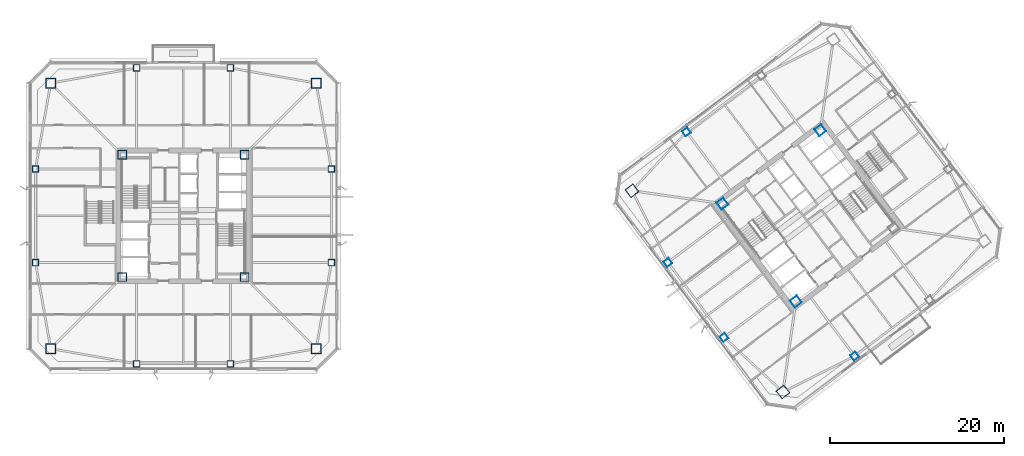
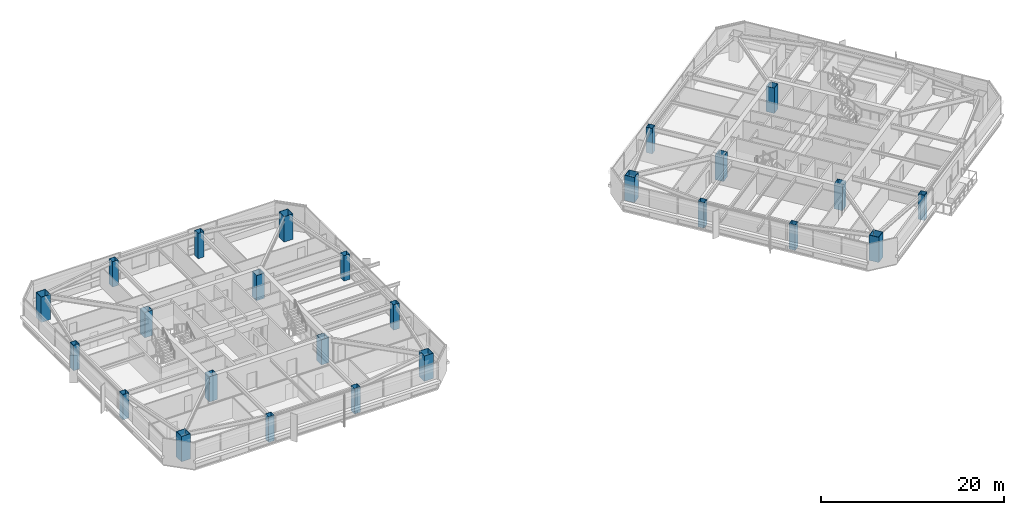
# One storey, part 1 of 46: 25 columns.
"""IFC4 building model written with IfcOpenShell, lengths in metres."""

from ifc_helpers import new_model, si_unit, direction, frame, origin, origin_2d, place, context, subcontext, project, spatial, hollow_rectangle, extrude, material, material_profile, profile_set, type_object, element, save


model = new_model("IFC4")

# Units and contexts
model_context = context("Model", 3, precision=1e-05, world=origin(), true_north=direction((0.0, 1.0)))
body_context = subcontext(model_context, "Body", "Model", "MODEL_VIEW")
ifc_project = project(units=[si_unit("LENGTHUNIT", "METRE"), si_unit("AREAUNIT", "SQUARE_METRE"), si_unit("VOLUMEUNIT", "CUBIC_METRE"), si_unit("PLANEANGLEUNIT", "RADIAN"), si_unit("MASSUNIT", "GRAM", prefix="KILO")], contexts=[model_context])

# Site, building, storey
site_placement = place(None, origin())
site = spatial("IfcSite", under=ifc_project, at=site_placement, CompositionType="ELEMENT")
building_placement = place(site_placement, origin())
building = spatial("IfcBuilding", under=site, at=building_placement, Name="Tashvorn Skyway Center", CompositionType="ELEMENT")
storey_placement = place(building_placement, frame((0.0, 0.0, 167.64990234375)))
storey = spatial("IfcBuildingStorey", under=building, at=storey_placement, Name="L45", CompositionType="ELEMENT", Elevation=167.64990234375)

# Columns
ifc_material = material(Name="Steel ASTM A572 Grade 50", Category="steel")
ifc_material_profile_1 = material_profile(ifc_material, hollow_rectangle(XDim=1.0, YDim=1.0, WallThickness=0.0400390625, at=origin_2d()), Name="BOX1000x1000x40")
ifc_profile_set_1 = profile_set([ifc_material_profile_1], Name="Steel ASTM A572 Grade 50")
column_type_1 = type_object("IfcColumnType", Name="COL-BOX1000x1000x40", PredefinedType="COLUMN", material=ifc_profile_set_1)
for number, where, z_axis, x_axis, name in (
    (1, (34.949951171875, 24.949951171875, 0.0), (0.0, 0.0, 1.0), (1.0, 0.0, 0.0), "Tower 1 L45 Core Corner Column CC-SW"),
    (2, (49.050048828125, 24.949951171875, 0.0), (0.0, 0.0, 1.0), (1.0, 0.0, 0.0), "Tower 1 L45 Core Corner Column CC-SE"),
    (3, (49.050048828125, 39.050048828125, 0.0), (0.0, 0.0, 1.0), (1.0, 0.0, 0.0), "Tower 1 L45 Core Corner Column CC-NE"),
    (4, (34.949951171875, 39.050048828125, 0.0), (0.0, 0.0, 1.0), (1.0, 0.0, 0.0), "Tower 1 L45 Core Corner Column CC-NW"),
    (5, (112.590087890625, 22.1298828125, 0.0), (0.0, 0.0, 1.0), (0.799999996291, 0.600000004945, 0.0), "Tower 2 L45 Core Corner Column CC-SW"),
    (6, (115.409912109375, 41.8701171875, 0.0), (0.0, 0.0, 1.0), (0.799999996291, 0.600000004945, 0.0), "Tower 2 L45 Core Corner Column CC-NE"),
    (7, (104.1298828125, 33.409912109375, 0.0), (0.0, 0.0, 1.0), (0.799999996291, 0.600000004945, 0.0), "Tower 2 L45 Core Corner Column CC-NW"),
):
    element("IfcColumn", number, at=place(storey_placement, frame(where, z_axis=z_axis, x_axis=x_axis)), inside=storey, type_object=column_type_1, Name=name, PredefinedType="COLUMN", context=body_context, shape_type="SweptSolid", body=[
        extrude(hollow_rectangle(XDim=1.0, YDim=1.0, WallThickness=0.0400390625, at=origin_2d()), origin(), (0.0, 0.0, 1.0), 3.3701171875),
    ])
ifc_material_profile_2 = material_profile(ifc_material, hollow_rectangle(XDim=1.14990234375, YDim=1.14990234375, WallThickness=0.044921875, at=origin_2d()), Name="BOX1150x1150x45")
ifc_profile_set_2 = profile_set([ifc_material_profile_2], Name="Steel ASTM A572 Grade 50")
column_type_2 = type_object("IfcColumnType", Name="COL-BOX1150x1150x45", PredefinedType="COLUMN", material=ifc_profile_set_2)
for number, where, z_axis, x_axis, name in (
    (8, (26.699951171875, 16.699951171875, 0.0), (0.0, 0.0, 1.0), (1.0, 0.0, 0.0), "Tower 1 L45 Mega-Column MC-SW"),
    (9, (57.300048828125, 16.699951171875, 0.0), (0.0, 0.0, 1.0), (1.0, 0.0, 0.0), "Tower 1 L45 Mega-Column MC-SE"),
    (10, (57.300048828125, 47.300048828125, 0.0), (0.0, 0.0, 1.0), (1.0, 0.0, 0.0), "Tower 1 L45 Mega-Column MC-NE"),
    (11, (26.699951171875, 47.300048828125, 0.0), (0.0, 0.0, 1.0), (1.0, 0.0, 0.0), "Tower 1 L45 Mega-Column MC-NW"),
    (12, (111.10009765625, 11.699951171875, 0.0), (0.0, 0.0, 1.0), (0.799999996291, 0.600000004945, 0.0), "Tower 2 L45 Mega-Column MC-SW"),
    (13, (93.699951171875, 34.89990234375, 0.0), (0.0, 0.0, 1.0), (0.799999996291, 0.600000004945, 0.0), "Tower 2 L45 Mega-Column MC-NW"),
):
    element("IfcColumn", number, at=place(storey_placement, frame(where, z_axis=z_axis, x_axis=x_axis)), inside=storey, type_object=column_type_2, Name=name, PredefinedType="COLUMN", context=body_context, shape_type="SweptSolid", body=[
        extrude(hollow_rectangle(XDim=1.14990234375, YDim=1.14990234375, WallThickness=0.044921875, at=origin_2d()), origin(), (0.0, 0.0, 1.0), 3.3701171875),
    ])
ifc_material_profile_3 = material_profile(ifc_material, hollow_rectangle(XDim=0.75, YDim=0.75, WallThickness=0.031982421875, at=origin_2d()), Name="BOX750x750x32")
ifc_profile_set_3 = profile_set([ifc_material_profile_3], Name="Steel ASTM A572 Grade 50")
column_type_3 = type_object("IfcColumnType", Name="COL-BOX750x750x32", PredefinedType="COLUMN", material=ifc_profile_set_3)
for number, where, z_axis, x_axis, name in (
    (14, (36.60009765625, 14.949951171875, 0.0), (0.0, 0.0, 1.0), (1.0, 0.0, 0.0), "Tower 1 L45 Perimeter Column FC-S1"),
    (15, (47.39990234375, 14.949951171875, 0.0), (0.0, 0.0, 1.0), (1.0, 0.0, 0.0), "Tower 1 L45 Perimeter Column FC-S2"),
    (16, (59.050048828125, 26.60009765625, 0.0), (0.0, 0.0, 1.0), (1.0, 0.0, 0.0), "Tower 1 L45 Perimeter Column FC-E1"),
    (17, (59.050048828125, 37.39990234375, 0.0), (0.0, 0.0, 1.0), (1.0, 0.0, 0.0), "Tower 1 L45 Perimeter Column FC-E2"),
    (18, (47.39990234375, 49.050048828125, 0.0), (0.0, 0.0, 1.0), (1.0, 0.0, 0.0), "Tower 1 L45 Perimeter Column FC-N1"),
    (19, (36.60009765625, 49.050048828125, 0.0), (0.0, 0.0, 1.0), (1.0, 0.0, 0.0), "Tower 1 L45 Perimeter Column FC-N2"),
    (20, (24.949951171875, 37.39990234375, 0.0), (0.0, 0.0, 1.0), (1.0, 0.0, 0.0), "Tower 1 L45 Perimeter Column FC-W1"),
    (21, (24.949951171875, 26.60009765625, 0.0), (0.0, 0.0, 1.0), (1.0, 0.0, 0.0), "Tower 1 L45 Perimeter Column FC-W2"),
    (22, (119.3701171875, 15.840087890625, 0.0), (0.0, 0.0, 1.0), (0.799999996291, 0.600000004945, 0.0), "Tower 2 L45 Perimeter Column FC-S1"),
    (23, (99.989990234375, 41.679931640625, 0.0), (0.0, 0.0, 1.0), (0.799999996291, 0.600000004945, 0.0), "Tower 2 L45 Perimeter Column FC-N2"),
    (24, (97.840087890625, 26.6298828125, 0.0), (0.0, 0.0, 1.0), (0.799999996291, 0.600000004945, 0.0), "Tower 2 L45 Perimeter Column FC-W1"),
    (25, (104.320068359375, 17.989990234375, 0.0), (0.0, 0.0, 1.0), (0.799999996291, 0.600000004945, 0.0), "Tower 2 L45 Perimeter Column FC-W2"),
):
    element("IfcColumn", number, at=place(storey_placement, frame(where, z_axis=z_axis, x_axis=x_axis)), inside=storey, type_object=column_type_3, Name=name, PredefinedType="COLUMN", context=body_context, shape_type="SweptSolid", body=[
        extrude(hollow_rectangle(XDim=0.75, YDim=0.75, WallThickness=0.031982421875, at=origin_2d()), origin(), (0.0, 0.0, 1.0), 3.3701171875),
    ])

save(model, "model.ifc")
